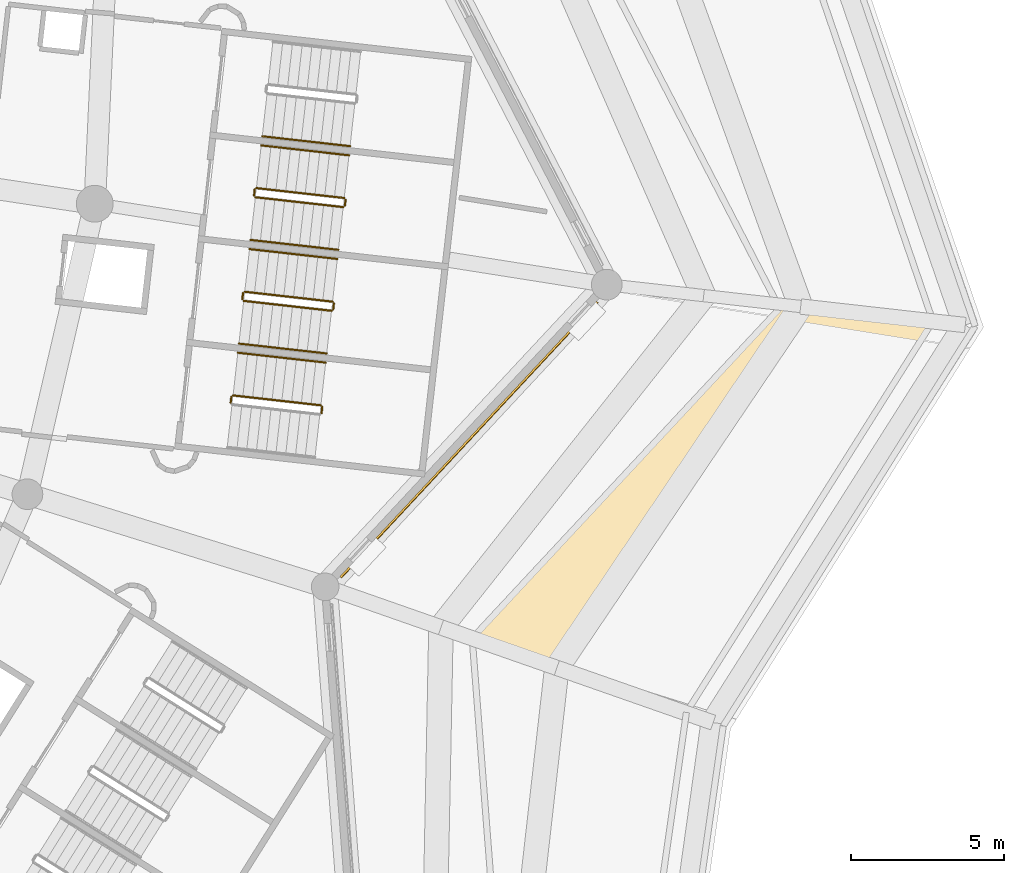
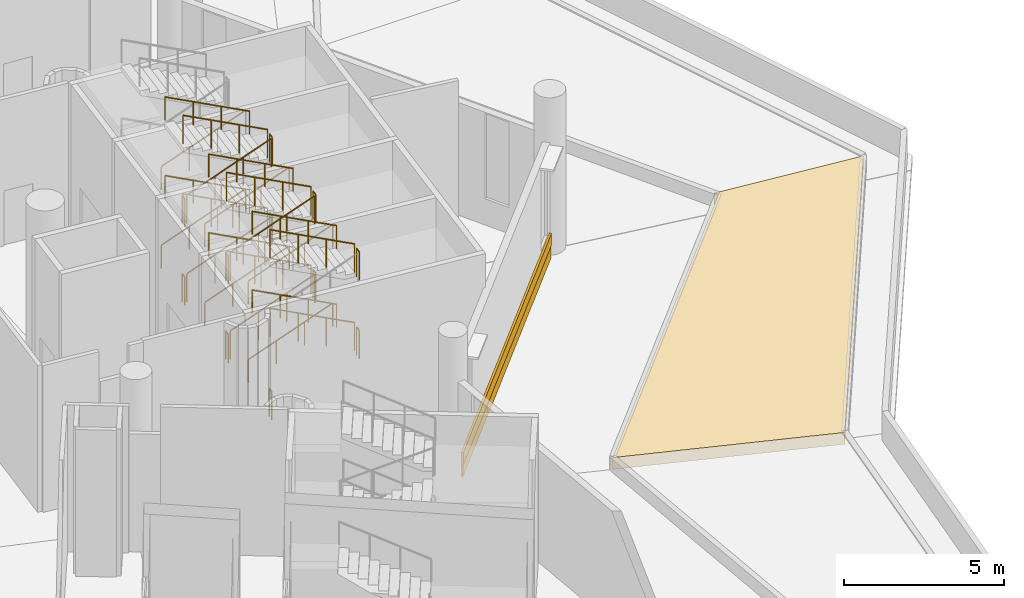
# One storey, part 136 of 173: 33 railings, 3 coverings.
"""IFC4 building model written with IfcOpenShell, lengths in metres."""

from ifc_helpers import new_model, si_unit, direction, frame, origin, origin_2d, place, context, subcontext, project, spatial, polyline, rectangle, circle, outline, extrude, material, layer, layer_set, type_object, element, save


model = new_model("IFC4")

# Units and contexts
model_context = context("Model", 3, precision=1e-05, world=origin(), true_north=direction((0.0, 1.0)))
body_context = subcontext(model_context, "Body", "Model", "MODEL_VIEW")
ifc_project = project(units=[si_unit("LENGTHUNIT", "METRE"), si_unit("AREAUNIT", "SQUARE_METRE"), si_unit("VOLUMEUNIT", "CUBIC_METRE"), si_unit("PLANEANGLEUNIT", "RADIAN"), si_unit("MASSUNIT", "GRAM", prefix="KILO")], contexts=[model_context])

# Site, building, storey
site_placement = place(None, origin())
site = spatial("IfcSite", under=ifc_project, at=site_placement, CompositionType="ELEMENT")
building_placement = place(site_placement, origin())
building = spatial("IfcBuilding", under=site, at=building_placement, Name="Meseta Stadium", CompositionType="ELEMENT")
storey_placement = place(building_placement, frame((0.0, 0.0, 18.0)))
storey = spatial("IfcBuildingStorey", under=building, at=storey_placement, Name="L03", CompositionType="ELEMENT", Elevation=18.0)

# Coverings
ifc_material_1 = material(Name="Guadarrama granite cladding", Category="masonry")
ifc_layer_1 = layer(ifc_material_1, 0.06005859375)
ifc_layer_set_1 = layer_set([ifc_layer_1], Name="Granite plinth cladding 60")
covering_type_1 = type_object("IfcCoveringType", Name="Granite plinth cladding 60", PredefinedType="CLADDING", material=ifc_layer_set_1)
covering_1_placement = place(storey_placement, frame((96.55859375, -61.251220703125, 0.0), z_axis=(0.0, 0.0, 1.0), x_axis=(-0.681792824206, -0.731545312925, 0.0)))
element("IfcCovering", 1, at=covering_1_placement, inside=storey, type_object=covering_type_1, Name="Granite plinth L03 F55", PredefinedType="CLADDING", context=body_context, shape_type="SweptSolid", body=[
    extrude(rectangle(XDim=12.27392578125, YDim=0.06005859375, at=origin_2d()), origin(), (0.0, 0.0, 1.0), 0.5),
])
ifc_material_2 = material(Name="Planting soil")
ifc_layer_2 = layer(ifc_material_2, 0.449951171875)
ifc_layer_set_2 = layer_set([ifc_layer_2], Name="Planting soil 450")
covering_type_2 = type_object("IfcCoveringType", Name="Planting soil 450", PredefinedType="FLOORING", material=ifc_layer_set_2)
covering_2_placement = place(storey_placement, origin())
element("IfcCovering", 2, at=covering_2_placement, inside=storey, type_object=covering_type_2, Name="Roof garden planting bed 8.1 panel 02", PredefinedType="FLOORING", context=body_context, shape_type="SweptSolid", body=[
    extrude(outline(polyline([(111.67919921875, -57.400390625), (106.61328125, -56.82958984375), (106.688720703125, -56.974853515625), (96.666015625, -67.728759765625), (103.64404296875, -70.17041015625), (103.6474609375, -70.146484375), (111.67919921875, -57.400390625)])), origin(), (0.0, 0.0, 1.0), 0.449951171875),
])

# Railings
ifc_material_3 = material(Name="Steel S355", Category="steel")
railing_type_1 = type_object("IfcRailingType", Name="Stair guard 1100", PredefinedType="GUARDRAIL", material=ifc_material_3)
railing_1_placement = place(storey_placement, frame((91.754638671875, -60.38818359375, 1.5)))
element("IfcRailing", 3, at=railing_1_placement, inside=storey, type_object=railing_type_1, Name="ST1 L03 guard 2", PredefinedType="GUARDRAIL", context=body_context, shape_type="SweptSolid", body=[
    extrude(circle(Radius=0.02392578125, at=origin_2d()), frame((0.0, 0.0, 1.076171875), z_axis=(0.112307083986, 0.993673547442, 0.0), x_axis=(-0.993673547442, 0.112307083986, 0.0)), (0.0, 0.0, 1.0), 0.199951171875),
    extrude(circle(Radius=0.02099609375, at=origin_2d()), origin(), (0.0, 0.0, 1.0), 1.052001953125),
    extrude(circle(Radius=0.02099609375, at=origin_2d()), frame((0.0224609375, 0.19873046875, 0.0)), (0.0, 0.0, 1.0), 1.052001953125),
])
railing_2_placement = place(storey_placement, frame((91.73291015625, -60.13427734375, 1.64990234375)))
element("IfcRailing", 4, at=railing_2_placement, inside=storey, type_object=railing_type_1, Name="ST1 L03 guard 3", PredefinedType="GUARDRAIL", context=body_context, shape_type="SweptSolid", body=[
    extrude(circle(Radius=0.02392578125, at=origin_2d()), frame((0.0, 0.0, 1.076171875), z_axis=(-0.899747905232, 0.10139626197, 0.424467319223), x_axis=(-0.111985219376, -0.993709872468, 0.0)), (0.0, 0.0, 1.0), 3.1806640625),
    extrude(circle(Radius=0.02099609375, at=origin_2d()), origin(), (0.0, 0.0, 1.0), 1.052001953125),
    extrude(circle(Radius=0.02099609375, at=origin_2d()), frame((-0.953857421875, 0.107421875, 0.449951171875)), (0.0, 0.0, 1.0), 1.052001953125),
    extrude(circle(Radius=0.02099609375, at=origin_2d()), frame((-1.907958984375, 0.215087890625, 0.900146484375)), (0.0, 0.0, 1.0), 1.052001953125),
    extrude(circle(Radius=0.02099609375, at=origin_2d()), frame((-2.86181640625, 0.322509765625, 1.35009765625)), (0.0, 0.0, 1.0), 1.052001953125),
])
railing_3_placement = place(storey_placement, frame((91.754638671875, -60.38818359375, 4.5)))
element("IfcRailing", 5, at=railing_3_placement, inside=storey, type_object=railing_type_1, Name="ST1 L03 guard 6", PredefinedType="GUARDRAIL", context=body_context, shape_type="SweptSolid", body=[
    extrude(circle(Radius=0.02392578125, at=origin_2d()), frame((0.0, 0.0, 1.076171875), z_axis=(0.112307083986, 0.993673547442, 0.0), x_axis=(-0.993673547442, 0.112307083986, 0.0)), (0.0, 0.0, 1.0), 0.199951171875),
    extrude(circle(Radius=0.02099609375, at=origin_2d()), origin(), (0.0, 0.0, 1.0), 1.052001953125),
    extrude(circle(Radius=0.02099609375, at=origin_2d()), frame((0.0224609375, 0.19873046875, 0.0)), (0.0, 0.0, 1.0), 1.052001953125),
])
railing_4_placement = place(storey_placement, frame((91.73291015625, -60.13427734375, 4.64990234375)))
element("IfcRailing", 6, at=railing_4_placement, inside=storey, type_object=railing_type_1, Name="ST1 L03 guard 7", PredefinedType="GUARDRAIL", context=body_context, shape_type="SweptSolid", body=[
    extrude(circle(Radius=0.02392578125, at=origin_2d()), frame((0.0, 0.0, 1.076171875), z_axis=(-0.899747905232, 0.10139626197, 0.424467319223), x_axis=(-0.111985219376, -0.993709872468, 0.0)), (0.0, 0.0, 1.0), 3.1806640625),
    extrude(circle(Radius=0.02099609375, at=origin_2d()), origin(), (0.0, 0.0, 1.0), 1.052001953125),
    extrude(circle(Radius=0.02099609375, at=origin_2d()), frame((-0.953857421875, 0.107421875, 0.449951171875)), (0.0, 0.0, 1.0), 1.052001953125),
    extrude(circle(Radius=0.02099609375, at=origin_2d()), frame((-1.907958984375, 0.215087890625, 0.900146484375)), (0.0, 0.0, 1.0), 1.052001953125),
    extrude(circle(Radius=0.02099609375, at=origin_2d()), frame((-2.86181640625, 0.322509765625, 1.35009765625)), (0.0, 0.0, 1.0), 1.052001953125),
])
railing_5_placement = place(storey_placement, frame((88.793212890625, -60.054443359375, 0.0)))
element("IfcRailing", 7, at=railing_5_placement, inside=storey, type_object=railing_type_1, Name="ST1 L03 guard 8", PredefinedType="GUARDRAIL", context=body_context, shape_type="SweptSolid", body=[
    extrude(circle(Radius=0.02392578125, at=origin_2d()), frame((0.0, 0.0, 1.076171875), z_axis=(0.112307083986, 0.993673547442, 0.0), x_axis=(-0.993673547442, 0.112307083986, 0.0)), (0.0, 0.0, 1.0), 0.199951171875),
    extrude(circle(Radius=0.02099609375, at=origin_2d()), origin(), (0.0, 0.0, 1.0), 1.052001953125),
    extrude(circle(Radius=0.02099609375, at=origin_2d()), frame((0.0224609375, 0.19873046875, 0.0)), (0.0, 0.0, 1.0), 1.052001953125),
])
railing_6_placement = place(storey_placement, frame((89.218017578125, -56.731201171875, 0.14990234375)))
element("IfcRailing", 8, at=railing_6_placement, inside=storey, type_object=railing_type_1, Name="ST2 L03 guard 1", PredefinedType="GUARDRAIL", context=body_context, shape_type="SweptSolid", body=[
    extrude(circle(Radius=0.02392578125, at=origin_2d()), frame((0.0, 0.0, 1.076171875), z_axis=(0.899762522411, -0.101389259755, 0.424438006392), x_axis=(0.11197578655, 0.993710935447, 0.0)), (0.0, 0.0, 1.0), 3.180908203125),
    extrude(circle(Radius=0.02099609375, at=origin_2d()), origin(), (0.0, 0.0, 1.0), 1.052001953125),
    extrude(circle(Radius=0.02099609375, at=origin_2d()), frame((0.9541015625, -0.107421875, 0.449951171875)), (0.0, 0.0, 1.0), 1.052001953125),
    extrude(circle(Radius=0.02099609375, at=origin_2d()), frame((1.907958984375, -0.215087890625, 0.900146484375)), (0.0, 0.0, 1.0), 1.052001953125),
    extrude(circle(Radius=0.02099609375, at=origin_2d()), frame((2.862060546875, -0.322509765625, 1.35009765625)), (0.0, 0.0, 1.0), 1.052001953125),
])
railing_7_placement = place(storey_placement, frame((92.13525390625, -57.009521484375, 1.5)))
element("IfcRailing", 9, at=railing_7_placement, inside=storey, type_object=railing_type_1, Name="ST2 L03 guard 2", PredefinedType="GUARDRAIL", context=body_context, shape_type="SweptSolid", body=[
    extrude(circle(Radius=0.02392578125, at=origin_2d()), frame((0.0, 0.0, 1.076171875), z_axis=(0.112307083986, 0.993673547442, 0.0), x_axis=(-0.993673547442, 0.112307083986, 0.0)), (0.0, 0.0, 1.0), 0.199951171875),
    extrude(circle(Radius=0.02099609375, at=origin_2d()), origin(), (0.0, 0.0, 1.0), 1.052001953125),
    extrude(circle(Radius=0.02099609375, at=origin_2d()), frame((0.0224609375, 0.19873046875, 0.0)), (0.0, 0.0, 1.0), 1.052001953125),
])
railing_8_placement = place(storey_placement, frame((92.113525390625, -56.755615234375, 1.64990234375)))
element("IfcRailing", 10, at=railing_8_placement, inside=storey, type_object=railing_type_1, Name="ST2 L03 guard 3", PredefinedType="GUARDRAIL", context=body_context, shape_type="SweptSolid", body=[
    extrude(circle(Radius=0.02392578125, at=origin_2d()), frame((0.0, 0.0, 1.076171875), z_axis=(-0.899747905232, 0.10139626197, 0.424467319223), x_axis=(-0.111985219376, -0.993709872468, 0.0)), (0.0, 0.0, 1.0), 3.1806640625),
    extrude(circle(Radius=0.02099609375, at=origin_2d()), origin(), (0.0, 0.0, 1.0), 1.052001953125),
    extrude(circle(Radius=0.02099609375, at=origin_2d()), frame((-0.953857421875, 0.107421875, 0.449951171875)), (0.0, 0.0, 1.0), 1.052001953125),
    extrude(circle(Radius=0.02099609375, at=origin_2d()), frame((-1.907958984375, 0.215087890625, 0.900146484375)), (0.0, 0.0, 1.0), 1.052001953125),
    extrude(circle(Radius=0.02099609375, at=origin_2d()), frame((-2.86181640625, 0.322509765625, 1.35009765625)), (0.0, 0.0, 1.0), 1.052001953125),
])
railing_9_placement = place(storey_placement, frame((89.174072265625, -56.676025390625, 3.0)))
element("IfcRailing", 11, at=railing_9_placement, inside=storey, type_object=railing_type_1, Name="ST2 L03 guard 4", PredefinedType="GUARDRAIL", context=body_context, shape_type="SweptSolid", body=[
    extrude(circle(Radius=0.02392578125, at=origin_2d()), frame((0.0, 0.0, 1.076171875), z_axis=(0.111101504696, 0.993809063983, 0.0), x_axis=(-0.993809063983, 0.111101504696, 0.0)), (0.0, 0.0, 1.0), 0.199951171875),
    extrude(circle(Radius=0.02099609375, at=origin_2d()), origin(), (0.0, 0.0, 1.0), 1.052001953125),
    extrude(circle(Radius=0.02099609375, at=origin_2d()), frame((0.022216796875, 0.19873046875, 0.0)), (0.0, 0.0, 1.0), 1.052001953125),
])
railing_10_placement = place(storey_placement, frame((89.218017578125, -56.731201171875, 3.14990234375)))
element("IfcRailing", 12, at=railing_10_placement, inside=storey, type_object=railing_type_1, Name="ST2 L03 guard 5", PredefinedType="GUARDRAIL", context=body_context, shape_type="SweptSolid", body=[
    extrude(circle(Radius=0.02392578125, at=origin_2d()), frame((0.0, 0.0, 1.076171875), z_axis=(0.899762522411, -0.101389259755, 0.424438006392), x_axis=(0.11197578655, 0.993710935447, 0.0)), (0.0, 0.0, 1.0), 3.180908203125),
    extrude(circle(Radius=0.02099609375, at=origin_2d()), origin(), (0.0, 0.0, 1.0), 1.052001953125),
    extrude(circle(Radius=0.02099609375, at=origin_2d()), frame((0.9541015625, -0.107421875, 0.449951171875)), (0.0, 0.0, 1.0), 1.052001953125),
    extrude(circle(Radius=0.02099609375, at=origin_2d()), frame((1.907958984375, -0.215087890625, 0.900146484375)), (0.0, 0.0, 1.0), 1.052001953125),
    extrude(circle(Radius=0.02099609375, at=origin_2d()), frame((2.862060546875, -0.322509765625, 1.35009765625)), (0.0, 0.0, 1.0), 1.052001953125),
])
railing_11_placement = place(storey_placement, frame((92.13525390625, -57.009521484375, 4.5)))
element("IfcRailing", 13, at=railing_11_placement, inside=storey, type_object=railing_type_1, Name="ST2 L03 guard 6", PredefinedType="GUARDRAIL", context=body_context, shape_type="SweptSolid", body=[
    extrude(circle(Radius=0.02392578125, at=origin_2d()), frame((0.0, 0.0, 1.076171875), z_axis=(0.112307083986, 0.993673547442, 0.0), x_axis=(-0.993673547442, 0.112307083986, 0.0)), (0.0, 0.0, 1.0), 0.199951171875),
    extrude(circle(Radius=0.02099609375, at=origin_2d()), origin(), (0.0, 0.0, 1.0), 1.052001953125),
    extrude(circle(Radius=0.02099609375, at=origin_2d()), frame((0.0224609375, 0.19873046875, 0.0)), (0.0, 0.0, 1.0), 1.052001953125),
])
railing_12_placement = place(storey_placement, frame((92.113525390625, -56.755615234375, 4.64990234375)))
element("IfcRailing", 14, at=railing_12_placement, inside=storey, type_object=railing_type_1, Name="ST2 L03 guard 7", PredefinedType="GUARDRAIL", context=body_context, shape_type="SweptSolid", body=[
    extrude(circle(Radius=0.02392578125, at=origin_2d()), frame((0.0, 0.0, 1.076171875), z_axis=(-0.899747905232, 0.10139626197, 0.424467319223), x_axis=(-0.111985219376, -0.993709872468, 0.0)), (0.0, 0.0, 1.0), 3.1806640625),
    extrude(circle(Radius=0.02099609375, at=origin_2d()), origin(), (0.0, 0.0, 1.0), 1.052001953125),
    extrude(circle(Radius=0.02099609375, at=origin_2d()), frame((-0.953857421875, 0.107421875, 0.449951171875)), (0.0, 0.0, 1.0), 1.052001953125),
    extrude(circle(Radius=0.02099609375, at=origin_2d()), frame((-1.907958984375, 0.215087890625, 0.900146484375)), (0.0, 0.0, 1.0), 1.052001953125),
    extrude(circle(Radius=0.02099609375, at=origin_2d()), frame((-2.86181640625, 0.322509765625, 1.35009765625)), (0.0, 0.0, 1.0), 1.052001953125),
])
railing_13_placement = place(storey_placement, frame((89.174072265625, -56.676025390625, 0.0)))
element("IfcRailing", 15, at=railing_13_placement, inside=storey, type_object=railing_type_1, Name="ST2 L03 guard 8", PredefinedType="GUARDRAIL", context=body_context, shape_type="SweptSolid", body=[
    extrude(circle(Radius=0.02392578125, at=origin_2d()), frame((0.0, 0.0, 1.076171875), z_axis=(0.111101504696, 0.993809063983, 0.0), x_axis=(-0.993809063983, 0.111101504696, 0.0)), (0.0, 0.0, 1.0), 0.199951171875),
    extrude(circle(Radius=0.02099609375, at=origin_2d()), origin(), (0.0, 0.0, 1.0), 1.052001953125),
    extrude(circle(Radius=0.02099609375, at=origin_2d()), frame((0.022216796875, 0.19873046875, 0.0)), (0.0, 0.0, 1.0), 1.052001953125),
])
railing_14_placement = place(storey_placement, frame((89.598876953125, -53.3525390625, 0.14990234375)))
element("IfcRailing", 16, at=railing_14_placement, inside=storey, type_object=railing_type_1, Name="ST3 L03 guard 1", PredefinedType="GUARDRAIL", context=body_context, shape_type="SweptSolid", body=[
    extrude(circle(Radius=0.02392578125, at=origin_2d()), frame((0.0, 0.0, 1.076171875), z_axis=(0.899747905232, -0.10139626197, 0.424467319223), x_axis=(0.111985219376, 0.993709872468, 0.0)), (0.0, 0.0, 1.0), 3.1806640625),
    extrude(circle(Radius=0.02099609375, at=origin_2d()), origin(), (0.0, 0.0, 1.0), 1.052001953125),
    extrude(circle(Radius=0.02099609375, at=origin_2d()), frame((0.953857421875, -0.107421875, 0.449951171875)), (0.0, 0.0, 1.0), 1.052001953125),
    extrude(circle(Radius=0.02099609375, at=origin_2d()), frame((1.907958984375, -0.215087890625, 0.900146484375)), (0.0, 0.0, 1.0), 1.052001953125),
    extrude(circle(Radius=0.02099609375, at=origin_2d()), frame((2.86181640625, -0.322509765625, 1.35009765625)), (0.0, 0.0, 1.0), 1.052001953125),
])
railing_15_placement = place(storey_placement, frame((92.515869140625, -53.630859375, 1.5)))
element("IfcRailing", 17, at=railing_15_placement, inside=storey, type_object=railing_type_1, Name="ST3 L03 guard 2", PredefinedType="GUARDRAIL", context=body_context, shape_type="SweptSolid", body=[
    extrude(circle(Radius=0.02392578125, at=origin_2d()), frame((0.0, 0.0, 1.076171875), z_axis=(0.112307083986, 0.993673547442, 0.0), x_axis=(-0.993673547442, 0.112307083986, 0.0)), (0.0, 0.0, 1.0), 0.199951171875),
    extrude(circle(Radius=0.02099609375, at=origin_2d()), origin(), (0.0, 0.0, 1.0), 1.052001953125),
    extrude(circle(Radius=0.02099609375, at=origin_2d()), frame((0.0224609375, 0.19873046875, 0.0)), (0.0, 0.0, 1.0), 1.052001953125),
])
railing_16_placement = place(storey_placement, frame((92.494140625, -53.376953125, 1.64990234375)))
element("IfcRailing", 18, at=railing_16_placement, inside=storey, type_object=railing_type_1, Name="ST3 L03 guard 3", PredefinedType="GUARDRAIL", context=body_context, shape_type="SweptSolid", body=[
    extrude(circle(Radius=0.02392578125, at=origin_2d()), frame((0.0, 0.0, 1.076171875), z_axis=(-0.899747905232, 0.10139626197, 0.424467319223), x_axis=(-0.111985219376, -0.993709872468, 0.0)), (0.0, 0.0, 1.0), 3.1806640625),
    extrude(circle(Radius=0.02099609375, at=origin_2d()), origin(), (0.0, 0.0, 1.0), 1.052001953125),
    extrude(circle(Radius=0.02099609375, at=origin_2d()), frame((-0.953857421875, 0.107421875, 0.449951171875)), (0.0, 0.0, 1.0), 1.052001953125),
    extrude(circle(Radius=0.02099609375, at=origin_2d()), frame((-1.907958984375, 0.215087890625, 0.900146484375)), (0.0, 0.0, 1.0), 1.052001953125),
    extrude(circle(Radius=0.02099609375, at=origin_2d()), frame((-2.86181640625, 0.322509765625, 1.35009765625)), (0.0, 0.0, 1.0), 1.052001953125),
])
railing_17_placement = place(storey_placement, frame((89.5546875, -53.29736328125, 3.0)))
element("IfcRailing", 19, at=railing_17_placement, inside=storey, type_object=railing_type_1, Name="ST3 L03 guard 4", PredefinedType="GUARDRAIL", context=body_context, shape_type="SweptSolid", body=[
    extrude(circle(Radius=0.02392578125, at=origin_2d()), frame((0.0, 0.0, 1.076171875), z_axis=(0.112307083986, 0.993673547442, 0.0), x_axis=(-0.993673547442, 0.112307083986, 0.0)), (0.0, 0.0, 1.0), 0.199951171875),
    extrude(circle(Radius=0.02099609375, at=origin_2d()), origin(), (0.0, 0.0, 1.0), 1.052001953125),
    extrude(circle(Radius=0.02099609375, at=origin_2d()), frame((0.0224609375, 0.19873046875, 0.0)), (0.0, 0.0, 1.0), 1.052001953125),
])
railing_18_placement = place(storey_placement, frame((89.598876953125, -53.3525390625, 3.14990234375)))
element("IfcRailing", 20, at=railing_18_placement, inside=storey, type_object=railing_type_1, Name="ST3 L03 guard 5", PredefinedType="GUARDRAIL", context=body_context, shape_type="SweptSolid", body=[
    extrude(circle(Radius=0.02392578125, at=origin_2d()), frame((0.0, 0.0, 1.076171875), z_axis=(0.899747905232, -0.10139626197, 0.424467319223), x_axis=(0.111985219376, 0.993709872468, 0.0)), (0.0, 0.0, 1.0), 3.1806640625),
    extrude(circle(Radius=0.02099609375, at=origin_2d()), origin(), (0.0, 0.0, 1.0), 1.052001953125),
    extrude(circle(Radius=0.02099609375, at=origin_2d()), frame((0.953857421875, -0.107421875, 0.449951171875)), (0.0, 0.0, 1.0), 1.052001953125),
    extrude(circle(Radius=0.02099609375, at=origin_2d()), frame((1.907958984375, -0.215087890625, 0.900146484375)), (0.0, 0.0, 1.0), 1.052001953125),
    extrude(circle(Radius=0.02099609375, at=origin_2d()), frame((2.86181640625, -0.322509765625, 1.35009765625)), (0.0, 0.0, 1.0), 1.052001953125),
])
railing_19_placement = place(storey_placement, frame((92.515869140625, -53.630859375, 4.5)))
element("IfcRailing", 21, at=railing_19_placement, inside=storey, type_object=railing_type_1, Name="ST3 L03 guard 6", PredefinedType="GUARDRAIL", context=body_context, shape_type="SweptSolid", body=[
    extrude(circle(Radius=0.02392578125, at=origin_2d()), frame((0.0, 0.0, 1.076171875), z_axis=(0.112307083986, 0.993673547442, 0.0), x_axis=(-0.993673547442, 0.112307083986, 0.0)), (0.0, 0.0, 1.0), 0.199951171875),
    extrude(circle(Radius=0.02099609375, at=origin_2d()), origin(), (0.0, 0.0, 1.0), 1.052001953125),
    extrude(circle(Radius=0.02099609375, at=origin_2d()), frame((0.0224609375, 0.19873046875, 0.0)), (0.0, 0.0, 1.0), 1.052001953125),
])
railing_20_placement = place(storey_placement, frame((92.494140625, -53.376953125, 4.64990234375)))
element("IfcRailing", 22, at=railing_20_placement, inside=storey, type_object=railing_type_1, Name="ST3 L03 guard 7", PredefinedType="GUARDRAIL", context=body_context, shape_type="SweptSolid", body=[
    extrude(circle(Radius=0.02392578125, at=origin_2d()), frame((0.0, 0.0, 1.076171875), z_axis=(-0.899747905232, 0.10139626197, 0.424467319223), x_axis=(-0.111985219376, -0.993709872468, 0.0)), (0.0, 0.0, 1.0), 3.1806640625),
    extrude(circle(Radius=0.02099609375, at=origin_2d()), origin(), (0.0, 0.0, 1.0), 1.052001953125),
    extrude(circle(Radius=0.02099609375, at=origin_2d()), frame((-0.953857421875, 0.107421875, 0.449951171875)), (0.0, 0.0, 1.0), 1.052001953125),
    extrude(circle(Radius=0.02099609375, at=origin_2d()), frame((-1.907958984375, 0.215087890625, 0.900146484375)), (0.0, 0.0, 1.0), 1.052001953125),
    extrude(circle(Radius=0.02099609375, at=origin_2d()), frame((-2.86181640625, 0.322509765625, 1.35009765625)), (0.0, 0.0, 1.0), 1.052001953125),
])
railing_21_placement = place(storey_placement, frame((89.5546875, -53.29736328125, 0.0)))
element("IfcRailing", 23, at=railing_21_placement, inside=storey, type_object=railing_type_1, Name="ST3 L03 guard 8", PredefinedType="GUARDRAIL", context=body_context, shape_type="SweptSolid", body=[
    extrude(circle(Radius=0.02392578125, at=origin_2d()), frame((0.0, 0.0, 1.076171875), z_axis=(0.112307083986, 0.993673547442, 0.0), x_axis=(-0.993673547442, 0.112307083986, 0.0)), (0.0, 0.0, 1.0), 0.199951171875),
    extrude(circle(Radius=0.02099609375, at=origin_2d()), origin(), (0.0, 0.0, 1.0), 1.052001953125),
    extrude(circle(Radius=0.02099609375, at=origin_2d()), frame((0.0224609375, 0.19873046875, 0.0)), (0.0, 0.0, 1.0), 1.052001953125),
])
ifc_material_4 = material(Name="Steel S355", Category="steel")
railing_type_2 = type_object("IfcRailingType", Name="Stair handrail 900", PredefinedType="HANDRAIL", material=ifc_material_4)
for number, where, name in (
    (24, (91.8896484375, -58.742919921875, 1.64990234375), "ST1 L03 handrail 2"),
    (25, (91.8896484375, -58.742919921875, 4.64990234375), "ST1 L03 handrail 4"),
):
    element("IfcRailing", number, at=place(storey_placement, frame(where)), inside=storey, type_object=railing_type_2, Name=name, PredefinedType="HANDRAIL", context=body_context, shape_type="SweptSolid", body=[
        extrude(circle(Radius=0.02392578125, at=origin_2d()), frame((0.0, 0.0, 0.8759765625), z_axis=(-0.899747905232, 0.10139626197, 0.424467319223), x_axis=(-0.111985219376, -0.993709872468, 0.0)), (0.0, 0.0, 1.0), 3.1806640625),
        extrude(circle(Radius=0.02099609375, at=origin_2d()), origin(), (0.0, 0.0, 1.0), 0.851806640625),
        extrude(circle(Radius=0.02099609375, at=origin_2d()), frame((-0.953857421875, 0.107421875, 0.449951171875)), (0.0, 0.0, 1.0), 0.851806640625),
        extrude(circle(Radius=0.02099609375, at=origin_2d()), frame((-1.907958984375, 0.215087890625, 0.900146484375)), (0.0, 0.0, 1.0), 0.851806640625),
        extrude(circle(Radius=0.02099609375, at=origin_2d()), frame((-2.86181640625, 0.322509765625, 1.35009765625)), (0.0, 0.0, 1.0), 0.851806640625),
    ])
railing_22_placement = place(storey_placement, frame((89.061279296875, -58.122314453125, 0.14990234375)))
element("IfcRailing", 26, at=railing_22_placement, inside=storey, type_object=railing_type_2, Name="ST2 L03 handrail 1", PredefinedType="HANDRAIL", context=body_context, shape_type="SweptSolid", body=[
    extrude(circle(Radius=0.02392578125, at=origin_2d()), frame((0.0, 0.0, 0.8759765625), z_axis=(0.899762522411, -0.101389259755, 0.424438006392), x_axis=(0.11197578655, 0.993710935447, 0.0)), (0.0, 0.0, 1.0), 3.180908203125),
    extrude(circle(Radius=0.02099609375, at=origin_2d()), origin(), (0.0, 0.0, 1.0), 0.851806640625),
    extrude(circle(Radius=0.02099609375, at=origin_2d()), frame((0.9541015625, -0.107421875, 0.449951171875)), (0.0, 0.0, 1.0), 0.851806640625),
    extrude(circle(Radius=0.02099609375, at=origin_2d()), frame((1.907958984375, -0.215087890625, 0.900146484375)), (0.0, 0.0, 1.0), 0.851806640625),
    extrude(circle(Radius=0.02099609375, at=origin_2d()), frame((2.862060546875, -0.322509765625, 1.35009765625)), (0.0, 0.0, 1.0), 0.851806640625),
])
railing_23_placement = place(storey_placement, frame((92.270263671875, -55.3642578125, 1.64990234375)))
element("IfcRailing", 27, at=railing_23_placement, inside=storey, type_object=railing_type_2, Name="ST2 L03 handrail 2", PredefinedType="HANDRAIL", context=body_context, shape_type="SweptSolid", body=[
    extrude(circle(Radius=0.02392578125, at=origin_2d()), frame((0.0, 0.0, 0.8759765625), z_axis=(-0.899754905305, 0.101320293039, 0.424470621595), x_axis=(-0.111901508232, -0.993719302648, 0.0)), (0.0, 0.0, 1.0), 3.1806640625),
    extrude(circle(Radius=0.02099609375, at=origin_2d()), origin(), (0.0, 0.0, 1.0), 0.851806640625),
    extrude(circle(Radius=0.02099609375, at=origin_2d()), frame((-0.953857421875, 0.107421875, 0.449951171875)), (0.0, 0.0, 1.0), 0.851806640625),
    extrude(circle(Radius=0.02099609375, at=origin_2d()), frame((-1.907958984375, 0.21484375, 0.900146484375)), (0.0, 0.0, 1.0), 0.851806640625),
    extrude(circle(Radius=0.02099609375, at=origin_2d()), frame((-2.86181640625, 0.322265625, 1.35009765625)), (0.0, 0.0, 1.0), 0.851806640625),
])
railing_24_placement = place(storey_placement, frame((89.061279296875, -58.122314453125, 3.14990234375)))
element("IfcRailing", 28, at=railing_24_placement, inside=storey, type_object=railing_type_2, Name="ST2 L03 handrail 3", PredefinedType="HANDRAIL", context=body_context, shape_type="SweptSolid", body=[
    extrude(circle(Radius=0.02392578125, at=origin_2d()), frame((0.0, 0.0, 0.8759765625), z_axis=(0.899762522411, -0.101389259755, 0.424438006392), x_axis=(0.11197578655, 0.993710935447, 0.0)), (0.0, 0.0, 1.0), 3.180908203125),
    extrude(circle(Radius=0.02099609375, at=origin_2d()), origin(), (0.0, 0.0, 1.0), 0.851806640625),
    extrude(circle(Radius=0.02099609375, at=origin_2d()), frame((0.9541015625, -0.107421875, 0.449951171875)), (0.0, 0.0, 1.0), 0.851806640625),
    extrude(circle(Radius=0.02099609375, at=origin_2d()), frame((1.907958984375, -0.215087890625, 0.900146484375)), (0.0, 0.0, 1.0), 0.851806640625),
    extrude(circle(Radius=0.02099609375, at=origin_2d()), frame((2.862060546875, -0.322509765625, 1.35009765625)), (0.0, 0.0, 1.0), 0.851806640625),
])
railing_25_placement = place(storey_placement, frame((92.270263671875, -55.3642578125, 4.64990234375)))
element("IfcRailing", 29, at=railing_25_placement, inside=storey, type_object=railing_type_2, Name="ST2 L03 handrail 4", PredefinedType="HANDRAIL", context=body_context, shape_type="SweptSolid", body=[
    extrude(circle(Radius=0.02392578125, at=origin_2d()), frame((0.0, 0.0, 0.8759765625), z_axis=(-0.899754905305, 0.101320293039, 0.424470621595), x_axis=(-0.111901508232, -0.993719302648, 0.0)), (0.0, 0.0, 1.0), 3.1806640625),
    extrude(circle(Radius=0.02099609375, at=origin_2d()), origin(), (0.0, 0.0, 1.0), 0.851806640625),
    extrude(circle(Radius=0.02099609375, at=origin_2d()), frame((-0.953857421875, 0.107421875, 0.449951171875)), (0.0, 0.0, 1.0), 0.851806640625),
    extrude(circle(Radius=0.02099609375, at=origin_2d()), frame((-1.907958984375, 0.21484375, 0.900146484375)), (0.0, 0.0, 1.0), 0.851806640625),
    extrude(circle(Radius=0.02099609375, at=origin_2d()), frame((-2.86181640625, 0.322265625, 1.35009765625)), (0.0, 0.0, 1.0), 0.851806640625),
])
railing_26_placement = place(storey_placement, frame((89.442138671875, -54.743896484375, 0.14990234375)))
element("IfcRailing", 30, at=railing_26_placement, inside=storey, type_object=railing_type_2, Name="ST3 L03 handrail 1", PredefinedType="HANDRAIL", context=body_context, shape_type="SweptSolid", body=[
    extrude(circle(Radius=0.02392578125, at=origin_2d()), frame((0.0, 0.0, 0.8759765625), z_axis=(0.899754905305, -0.101320293039, 0.424470621595), x_axis=(0.111901508232, 0.993719302648, 0.0)), (0.0, 0.0, 1.0), 3.1806640625),
    extrude(circle(Radius=0.02099609375, at=origin_2d()), origin(), (0.0, 0.0, 1.0), 0.851806640625),
    extrude(circle(Radius=0.02099609375, at=origin_2d()), frame((0.953857421875, -0.107421875, 0.449951171875)), (0.0, 0.0, 1.0), 0.851806640625),
    extrude(circle(Radius=0.02099609375, at=origin_2d()), frame((1.907958984375, -0.21484375, 0.900146484375)), (0.0, 0.0, 1.0), 0.851806640625),
    extrude(circle(Radius=0.02099609375, at=origin_2d()), frame((2.86181640625, -0.322265625, 1.35009765625)), (0.0, 0.0, 1.0), 0.851806640625),
])
railing_27_placement = place(storey_placement, frame((92.65087890625, -51.98583984375, 1.64990234375)))
element("IfcRailing", 31, at=railing_27_placement, inside=storey, type_object=railing_type_2, Name="ST3 L03 handrail 2", PredefinedType="HANDRAIL", context=body_context, shape_type="SweptSolid", body=[
    extrude(circle(Radius=0.02392578125, at=origin_2d()), frame((0.0, 0.0, 0.8759765625), z_axis=(-0.899747905232, 0.10139626197, 0.424467319223), x_axis=(-0.111985219376, -0.993709872468, 0.0)), (0.0, 0.0, 1.0), 3.1806640625),
    extrude(circle(Radius=0.02099609375, at=origin_2d()), origin(), (0.0, 0.0, 1.0), 0.851806640625),
    extrude(circle(Radius=0.02099609375, at=origin_2d()), frame((-0.953857421875, 0.107421875, 0.449951171875)), (0.0, 0.0, 1.0), 0.851806640625),
    extrude(circle(Radius=0.02099609375, at=origin_2d()), frame((-1.907958984375, 0.215087890625, 0.900146484375)), (0.0, 0.0, 1.0), 0.851806640625),
    extrude(circle(Radius=0.02099609375, at=origin_2d()), frame((-2.86181640625, 0.322509765625, 1.35009765625)), (0.0, 0.0, 1.0), 0.851806640625),
])
railing_28_placement = place(storey_placement, frame((89.442138671875, -54.743896484375, 3.14990234375)))
element("IfcRailing", 32, at=railing_28_placement, inside=storey, type_object=railing_type_2, Name="ST3 L03 handrail 3", PredefinedType="HANDRAIL", context=body_context, shape_type="SweptSolid", body=[
    extrude(circle(Radius=0.02392578125, at=origin_2d()), frame((0.0, 0.0, 0.8759765625), z_axis=(0.899754905305, -0.101320293039, 0.424470621595), x_axis=(0.111901508232, 0.993719302648, 0.0)), (0.0, 0.0, 1.0), 3.1806640625),
    extrude(circle(Radius=0.02099609375, at=origin_2d()), origin(), (0.0, 0.0, 1.0), 0.851806640625),
    extrude(circle(Radius=0.02099609375, at=origin_2d()), frame((0.953857421875, -0.107421875, 0.449951171875)), (0.0, 0.0, 1.0), 0.851806640625),
    extrude(circle(Radius=0.02099609375, at=origin_2d()), frame((1.907958984375, -0.21484375, 0.900146484375)), (0.0, 0.0, 1.0), 0.851806640625),
    extrude(circle(Radius=0.02099609375, at=origin_2d()), frame((2.86181640625, -0.322265625, 1.35009765625)), (0.0, 0.0, 1.0), 0.851806640625),
])
railing_29_placement = place(storey_placement, frame((92.65087890625, -51.98583984375, 4.64990234375)))
element("IfcRailing", 33, at=railing_29_placement, inside=storey, type_object=railing_type_2, Name="ST3 L03 handrail 4", PredefinedType="HANDRAIL", context=body_context, shape_type="SweptSolid", body=[
    extrude(circle(Radius=0.02392578125, at=origin_2d()), frame((0.0, 0.0, 0.8759765625), z_axis=(-0.899747905232, 0.10139626197, 0.424467319223), x_axis=(-0.111985219376, -0.993709872468, 0.0)), (0.0, 0.0, 1.0), 3.1806640625),
    extrude(circle(Radius=0.02099609375, at=origin_2d()), origin(), (0.0, 0.0, 1.0), 0.851806640625),
    extrude(circle(Radius=0.02099609375, at=origin_2d()), frame((-0.953857421875, 0.107421875, 0.449951171875)), (0.0, 0.0, 1.0), 0.851806640625),
    extrude(circle(Radius=0.02099609375, at=origin_2d()), frame((-1.907958984375, 0.215087890625, 0.900146484375)), (0.0, 0.0, 1.0), 0.851806640625),
    extrude(circle(Radius=0.02099609375, at=origin_2d()), frame((-2.86181640625, 0.322509765625, 1.35009765625)), (0.0, 0.0, 1.0), 0.851806640625),
])
for number, where, name in (
    (34, (89.82275390625, -51.365234375, 0.14990234375), "ST4 L03 handrail 1"),
    (35, (89.82275390625, -51.365234375, 3.14990234375), "ST4 L03 handrail 3"),
):
    element("IfcRailing", number, at=place(storey_placement, frame(where)), inside=storey, type_object=railing_type_2, Name=name, PredefinedType="HANDRAIL", context=body_context, shape_type="SweptSolid", body=[
        extrude(circle(Radius=0.02392578125, at=origin_2d()), frame((0.0, 0.0, 0.8759765625), z_axis=(0.899747905232, -0.10139626197, 0.424467319223), x_axis=(0.111985219376, 0.993709872468, 0.0)), (0.0, 0.0, 1.0), 3.1806640625),
        extrude(circle(Radius=0.02099609375, at=origin_2d()), origin(), (0.0, 0.0, 1.0), 0.851806640625),
        extrude(circle(Radius=0.02099609375, at=origin_2d()), frame((0.953857421875, -0.107421875, 0.449951171875)), (0.0, 0.0, 1.0), 0.851806640625),
        extrude(circle(Radius=0.02099609375, at=origin_2d()), frame((1.907958984375, -0.215087890625, 0.900146484375)), (0.0, 0.0, 1.0), 0.851806640625),
        extrude(circle(Radius=0.02099609375, at=origin_2d()), frame((2.86181640625, -0.322509765625, 1.35009765625)), (0.0, 0.0, 1.0), 0.851806640625),
    ])

# Covering
ifc_material_5 = material(Name="Precast concrete C40/50, terracotta pigment", Category="masonry")
ifc_layer_3 = layer(ifc_material_5, 0.080078125)
ifc_layer_set_3 = layer_set([ifc_layer_3], Name="Precast concrete C40/50, terracotta pigment")
covering_type_3 = type_object("IfcCoveringType", Name="Terracotta precast band 80", PredefinedType="CLADDING", material=ifc_layer_set_3)
covering_3_placement = place(storey_placement, frame((96.56591796875, -61.258056640625, 0.5), z_axis=(0.0, 0.0, 1.0), x_axis=(-0.681792824206, -0.731545312925, 0.0)))
element("IfcCovering", 36, at=covering_3_placement, inside=storey, type_object=covering_type_3, Name="Terracotta band L03 F55", PredefinedType="CLADDING", context=body_context, shape_type="SweptSolid", body=[
    extrude(rectangle(XDim=12.27392578125, YDim=0.080078125, at=origin_2d()), origin(), (0.0, 0.0, 1.0), 0.449951171875),
])

save(model, "model.ifc")
